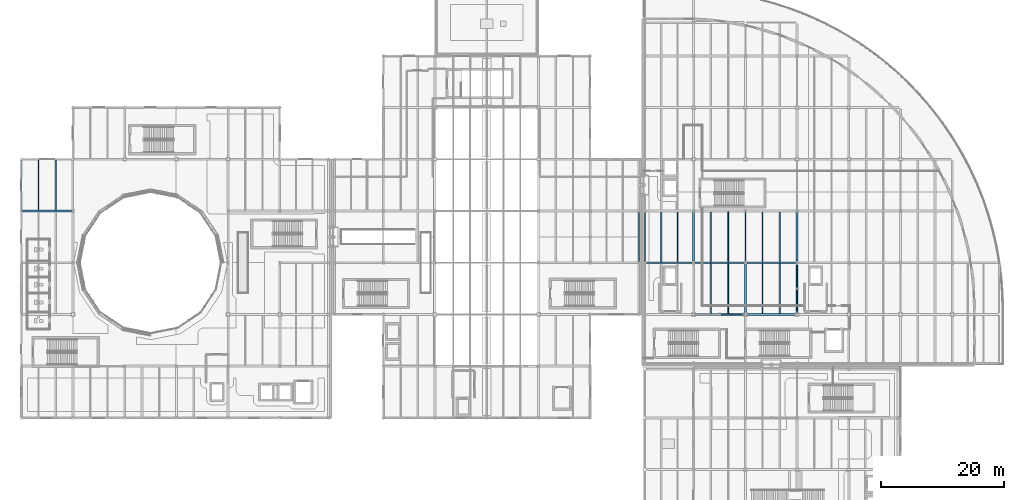
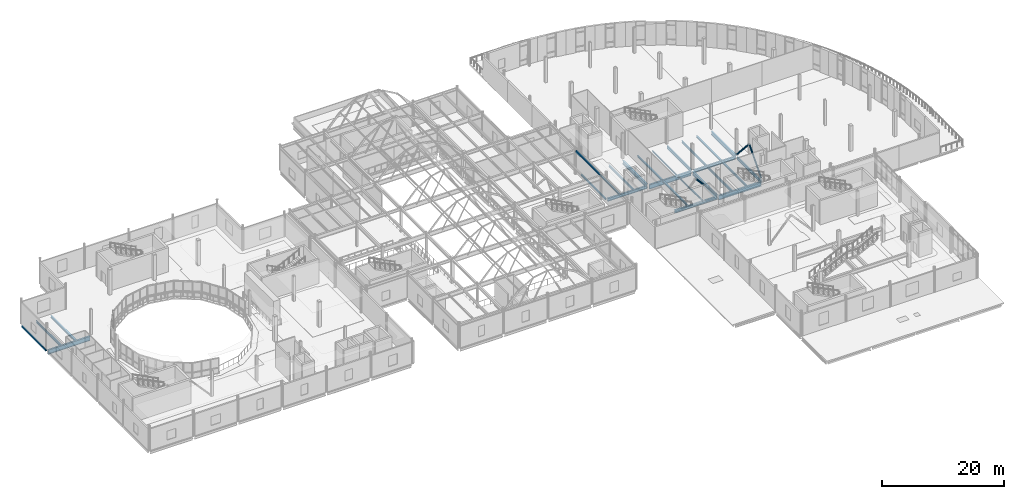
# One storey, part 25 of 103: 26 beams, 3 members.
"""IFC4 building model written with IfcOpenShell, lengths in metres."""

from ifc_helpers import new_model, si_unit, direction, frame, origin, origin_2d, place, context, subcontext, project, spatial, hollow_rectangle, hollow_circle, i_section, extrude, material, material_profile, profile_set, type_object, element, save


model = new_model("IFC4")

# Units and contexts
model_context = context("Model", 3, precision=1e-05, world=origin(), true_north=direction((0.0, 1.0)))
body_context = subcontext(model_context, "Body", "Model", "MODEL_VIEW")
ifc_project = project(units=[si_unit("LENGTHUNIT", "METRE"), si_unit("AREAUNIT", "SQUARE_METRE"), si_unit("VOLUMEUNIT", "CUBIC_METRE"), si_unit("PLANEANGLEUNIT", "RADIAN"), si_unit("MASSUNIT", "GRAM", prefix="KILO"), si_unit("THERMODYNAMICTEMPERATUREUNIT", "KELVIN")], contexts=[model_context])

# Site, building, storey
site_placement = place(None, origin())
site = spatial("IfcSite", under=ifc_project, at=site_placement, CompositionType="ELEMENT")
building_placement = place(site_placement, origin())
building = spatial("IfcBuilding", under=site, at=building_placement, Name="Lustrewick Department Store", CompositionType="ELEMENT")
storey_placement = place(building_placement, frame((0.0, 0.0, 16.5)))
storey = spatial("IfcBuildingStorey", under=building, at=storey_placement, Name="L04", CompositionType="ELEMENT", Elevation=16.5)

# Beams
ifc_material_1 = material(Name="Structural steel Q355B", Category="steel")
ifc_material_profile_1 = material_profile(ifc_material_1, i_section(OverallWidth=0.199951171875, OverallDepth=0.449951171875, WebThickness=0.009033203125, FlangeThickness=0.013916015625, FilletRadius=0.01611328125, at=origin_2d()), Name="HN 450x200x9x14")
ifc_profile_set_1 = profile_set([ifc_material_profile_1], Name="Structural steel Q355B")
beam_type_1 = type_object("IfcBeamType", Name="B03", PredefinedType="JOIST", material=ifc_profile_set_1)
beam_1_placement = place(storey_placement, frame((11.199951171875, 75.74951171875, -0.47998046875), z_axis=(0.0, 1.0, 0.0), x_axis=(-1.0, 0.0, 0.0)))
element("IfcBeam", 1, at=beam_1_placement, inside=storey, type_object=beam_type_1, Name="L04 V1 Secondary Joist B03", PredefinedType="JOIST", context=body_context, shape_type="SweptSolid", body=[
    extrude(i_section(OverallWidth=0.199951171875, OverallDepth=0.449951171875, WebThickness=0.009033203125, FlangeThickness=0.013916015625, FilletRadius=0.01611328125, at=origin_2d()), origin(), (0.0, 0.0, 1.0), 8.14990234375),
])
ifc_material_profile_2 = material_profile(ifc_material_1, i_section(OverallWidth=0.198974609375, OverallDepth=0.446044921875, WebThickness=0.008056640625, FlangeThickness=0.011962890625, FilletRadius=0.01611328125, at=origin_2d()), Name="HN 446x199x8x12")
ifc_profile_set_2 = profile_set([ifc_material_profile_2], Name="Structural steel Q355B")
beam_type_2 = type_object("IfcBeamType", Name="B04", PredefinedType="JOIST", material=ifc_profile_set_2)
beam_2_placement = place(storey_placement, frame((128.800048828125, 58.949951171875, -0.47802734375), z_axis=(0.0, 1.0, 0.0), x_axis=(-1.0, 0.0, 0.0)))
element("IfcBeam", 2, at=beam_2_placement, inside=storey, type_object=beam_type_2, Name="L04 V4 Secondary Joist B04", PredefinedType="JOIST", context=body_context, shape_type="SweptSolid", body=[
    extrude(i_section(OverallWidth=0.198974609375, OverallDepth=0.446044921875, WebThickness=0.008056640625, FlangeThickness=0.011962890625, FilletRadius=0.01611328125, at=origin_2d()), origin(), (0.0, 0.0, 1.0), 8.09912109375),
])
beam_3_placement = place(storey_placement, frame((114.966796875, 67.35009765625, -0.47802734375), z_axis=(0.0, 1.0, 0.0), x_axis=(-1.0, 0.0, 0.0)))
element("IfcBeam", 3, at=beam_3_placement, inside=storey, type_object=beam_type_2, Name="L04 V4 Secondary Joist B04", PredefinedType="JOIST", context=body_context, shape_type="SweptSolid", body=[
    extrude(i_section(OverallWidth=0.198974609375, OverallDepth=0.446044921875, WebThickness=0.008056640625, FlangeThickness=0.011962890625, FilletRadius=0.01611328125, at=origin_2d()), origin(), (0.0, 0.0, 1.0), 8.099853515625),
])
beam_4_placement = place(storey_placement, frame((128.800048828125, 67.35107421875, -0.47802734375), z_axis=(0.0, 1.0, 0.0), x_axis=(-1.0, 0.0, 0.0)))
element("IfcBeam", 4, at=beam_4_placement, inside=storey, type_object=beam_type_2, Name="L04 V4 Secondary Joist B04", PredefinedType="JOIST", context=body_context, shape_type="SweptSolid", body=[
    extrude(i_section(OverallWidth=0.198974609375, OverallDepth=0.446044921875, WebThickness=0.008056640625, FlangeThickness=0.011962890625, FilletRadius=0.01611328125, at=origin_2d()), origin(), (0.0, 0.0, 1.0), 8.098876953125),
])
ifc_material_profile_3 = material_profile(ifc_material_1, i_section(OverallWidth=0.300048828125, OverallDepth=0.389892578125, WebThickness=0.010009765625, FlangeThickness=0.01611328125, FilletRadius=0.01806640625, at=origin_2d()), Name="HM 390x300x10x16")
ifc_profile_set_3 = profile_set([ifc_material_profile_3], Name="Structural steel Q355B")
beam_type_3 = type_object("IfcBeamType", Name="B07", PredefinedType="JOIST", material=ifc_profile_set_3)
beam_5_placement = place(storey_placement, frame((14.0, 75.74951171875, -0.449951171875), z_axis=(0.0, 1.0, 0.0), x_axis=(-1.0, 0.0, 0.0)))
element("IfcBeam", 5, at=beam_5_placement, inside=storey, type_object=beam_type_3, Name="L04 V1 Secondary Joist B07", PredefinedType="JOIST", context=body_context, shape_type="SweptSolid", body=[
    extrude(i_section(OverallWidth=0.300048828125, OverallDepth=0.389892578125, WebThickness=0.010009765625, FlangeThickness=0.01611328125, FilletRadius=0.01806640625, at=origin_2d()), origin(), (0.0, 0.0, 1.0), 8.14990234375),
])
ifc_material_profile_4 = material_profile(ifc_material_1, i_section(OverallWidth=0.25, OverallDepth=0.340087890625, WebThickness=0.009033203125, FlangeThickness=0.013916015625, FilletRadius=0.01611328125, at=origin_2d()), Name="HM 340x250x9x14")
ifc_profile_set_4 = profile_set([ifc_material_profile_4], Name="Structural steel Q355B")
beam_type_4 = type_object("IfcBeamType", Name="B08", PredefinedType="JOIST", material=ifc_profile_set_4)
for number, where, z_axis, x_axis, name in (
    (6, (120.39990234375, 58.950927734375, -0.425048828125), (0.0, 1.0, 0.0), (-1.0, 0.0, 0.0), "L04 V4 Secondary Joist B08"),
    (7, (131.60009765625, 58.949951171875, -0.425048828125), (0.0, 1.0, 0.0), (-1.0, 0.0, 0.0), "L04 V4 Secondary Joist B08"),
):
    element("IfcBeam", number, at=place(storey_placement, frame(where, z_axis=z_axis, x_axis=x_axis)), inside=storey, type_object=beam_type_4, Name=name, PredefinedType="JOIST", context=body_context, shape_type="SweptSolid", body=[
        extrude(i_section(OverallWidth=0.25, OverallDepth=0.340087890625, WebThickness=0.009033203125, FlangeThickness=0.013916015625, FilletRadius=0.01611328125, at=origin_2d()), origin(), (0.0, 0.0, 1.0), 8.09912109375),
    ])
for number, where, z_axis, x_axis, name in (
    (8, (120.39990234375, 67.35009765625, -0.425048828125), (0.0, 1.0, 0.0), (-1.0, 0.0, 0.0), "L04 V4 Secondary Joist B08"),
    (9, (131.60009765625, 67.35107421875, -0.425048828125), (0.0, 1.0, 0.0), (-1.0, 0.0, 0.0), "L04 V4 Secondary Joist B08"),
):
    element("IfcBeam", number, at=place(storey_placement, frame(where, z_axis=z_axis, x_axis=x_axis)), inside=storey, type_object=beam_type_4, Name=name, PredefinedType="JOIST", context=body_context, shape_type="SweptSolid", body=[
        extrude(i_section(OverallWidth=0.25, OverallDepth=0.340087890625, WebThickness=0.009033203125, FlangeThickness=0.013916015625, FilletRadius=0.01611328125, at=origin_2d()), origin(), (0.0, 0.0, 1.0), 8.098876953125),
    ])
ifc_material_profile_5 = material_profile(ifc_material_1, i_section(OverallWidth=0.14892578125, OverallDepth=0.298095703125, WebThickness=0.005615234375, FlangeThickness=0.008056640625, FilletRadius=0.011962890625, at=origin_2d()), Name="HN 298x149x5.5x8")
ifc_profile_set_5 = profile_set([ifc_material_profile_5], Name="Structural steel Q355B")
beam_type_5 = type_object("IfcBeamType", Name="B12", PredefinedType="JOIST", material=ifc_profile_set_5)
beam_6_placement = place(storey_placement, frame((123.199951171875, 58.950927734375, -0.404052734375), z_axis=(0.0, 1.0, 0.0), x_axis=(-1.0, 0.0, 0.0)))
element("IfcBeam", 10, at=beam_6_placement, inside=storey, type_object=beam_type_5, Name="L04 V4 Secondary Joist B12", PredefinedType="JOIST", context=body_context, shape_type="SweptSolid", body=[
    extrude(i_section(OverallWidth=0.14892578125, OverallDepth=0.298095703125, WebThickness=0.005615234375, FlangeThickness=0.008056640625, FilletRadius=0.011962890625, at=origin_2d()), origin(), (0.0, 0.0, 1.0), 8.09912109375),
])
beam_7_placement = place(storey_placement, frame((123.199951171875, 67.35009765625, -0.404052734375), z_axis=(0.0, 1.0, 0.0), x_axis=(-1.0, 0.0, 0.0)))
element("IfcBeam", 11, at=beam_7_placement, inside=storey, type_object=beam_type_5, Name="L04 V4 Secondary Joist B12", PredefinedType="JOIST", context=body_context, shape_type="SweptSolid", body=[
    extrude(i_section(OverallWidth=0.14892578125, OverallDepth=0.298095703125, WebThickness=0.005615234375, FlangeThickness=0.008056640625, FilletRadius=0.011962890625, at=origin_2d()), origin(), (0.0, 0.0, 1.0), 8.098876953125),
])
ifc_material_profile_6 = material_profile(ifc_material_1, i_section(OverallWidth=0.199951171875, OverallDepth=0.2939453125, WebThickness=0.008056640625, FlangeThickness=0.011962890625, FilletRadius=0.013916015625, at=origin_2d()), Name="HM 294x200x8x12")
ifc_profile_set_6 = profile_set([ifc_material_profile_6], Name="Structural steel Q355B")
beam_type_6 = type_object("IfcBeamType", Name="B13", PredefinedType="JOIST", material=ifc_profile_set_6)
beam_8_placement = place(storey_placement, frame((112.333251953125, 67.35009765625, -0.402099609375), z_axis=(0.0, 1.0, 0.0), x_axis=(-1.0, 0.0, 0.0)))
element("IfcBeam", 12, at=beam_8_placement, inside=storey, type_object=beam_type_6, Name="L04 V4 Secondary Joist B13", PredefinedType="JOIST", context=body_context, shape_type="SweptSolid", body=[
    extrude(i_section(OverallWidth=0.199951171875, OverallDepth=0.2939453125, WebThickness=0.008056640625, FlangeThickness=0.011962890625, FilletRadius=0.013916015625, at=origin_2d()), origin(), (0.0, 0.0, 1.0), 8.099853515625),
])

# Members
ifc_material_2 = material(Name="Structural steel Q355C", Category="steel")
ifc_material_profile_7 = material_profile(ifc_material_2, hollow_circle(Radius=0.16259765625, WallThickness=0.011962890625, at=origin_2d()), Name="CHS 325x12")
ifc_profile_set_7 = profile_set([ifc_material_profile_7], Name="Structural steel Q355C")
member_type_1 = type_object("IfcMemberType", Name="BR01", PredefinedType="BRACE", material=ifc_profile_set_7)
member_1_placement = place(storey_placement, frame((125.72509765625, 58.800048828125, 0.14990234375), z_axis=(-0.66076478417, 0.0, 0.750593032209), x_axis=(0.0, -1.0, 0.0)))
element("IfcMember", 13, at=member_1_placement, inside=storey, type_object=member_type_1, Name="L04 V4 Chevron Brace BR01", PredefinedType="BRACE", context=body_context, shape_type="SweptSolid", body=[
    extrude(hollow_circle(Radius=0.16259765625, WallThickness=0.011962890625, at=origin_2d()), origin(), (0.0, 0.0, 1.0), 5.7890625),
])
ifc_material_profile_8 = material_profile(ifc_material_2, hollow_circle(Radius=0.1494140625, WallThickness=0.011962890625, at=origin_2d()), Name="CHS 299x12")
ifc_profile_set_8 = profile_set([ifc_material_profile_8], Name="Structural steel Q355C")
member_type_2 = type_object("IfcMemberType", Name="BR02", PredefinedType="BRACE", material=ifc_profile_set_8)
member_2_placement = place(storey_placement, frame((134.39990234375, 59.074951171875, 0.14990234375), z_axis=(0.0, 0.660741023398, 0.75061394871), x_axis=(-1.0, 0.0, 0.0)))
element("IfcMember", 14, at=member_2_placement, inside=storey, type_object=member_type_2, Name="L04 V4 Chevron Brace BR02", PredefinedType="BRACE", context=body_context, shape_type="SweptSolid", body=[
    extrude(hollow_circle(Radius=0.1494140625, WallThickness=0.011962890625, at=origin_2d()), origin(), (0.0, 0.0, 1.0), 5.788818359375),
])
member_3_placement = place(storey_placement, frame((134.39990234375, 67.006103515625, 0.14990234375), z_axis=(0.0, -0.66852136639, 0.743692935747), x_axis=(1.0, 0.0, 0.0)))
element("IfcMember", 15, at=member_3_placement, inside=storey, type_object=member_type_2, Name="L04 V4 Chevron Brace BR02", PredefinedType="BRACE", context=body_context, shape_type="SweptSolid", body=[
    extrude(hollow_circle(Radius=0.1494140625, WallThickness=0.011962890625, at=origin_2d()), origin(), (0.0, 0.0, 1.0), 5.8427734375),
])

# Beams
ifc_material_profile_9 = material_profile(ifc_material_2, i_section(OverallWidth=0.300048828125, OverallDepth=0.89990234375, WebThickness=0.01611328125, FlangeThickness=0.028076171875, FilletRadius=0.02392578125, at=origin_2d()), Name="HN 900x300x16x28")
ifc_profile_set_9 = profile_set([ifc_material_profile_9], Name="Structural steel Q355C")
beam_type_7 = type_object("IfcBeamType", Name="G02", PredefinedType="BEAM", material=ifc_profile_set_9)
beam_9_placement = place(storey_placement, frame((126.175048828125, 58.800048828125, -0.705078125), z_axis=(1.0, 0.0, 0.0), x_axis=(0.0, 1.0, 0.0)))
element("IfcBeam", 16, at=beam_9_placement, inside=storey, type_object=beam_type_7, Name="L04 V4 Girder G02", PredefinedType="BEAM", context=body_context, shape_type="SweptSolid", body=[
    extrude(i_section(OverallWidth=0.300048828125, OverallDepth=0.89990234375, WebThickness=0.01611328125, FlangeThickness=0.028076171875, FilletRadius=0.02392578125, at=origin_2d()), origin(), (0.0, 0.0, 1.0), 8.050048828125),
])
beam_10_placement = place(storey_placement, frame((117.85009765625, 67.199951171875, -0.705078125), z_axis=(1.0, 0.0, 0.0), x_axis=(0.0, 1.0, 0.0)))
element("IfcBeam", 17, at=beam_10_placement, inside=storey, type_object=beam_type_7, Name="L04 V4 Girder G02", PredefinedType="BEAM", context=body_context, shape_type="SweptSolid", body=[
    extrude(i_section(OverallWidth=0.300048828125, OverallDepth=0.89990234375, WebThickness=0.01611328125, FlangeThickness=0.028076171875, FilletRadius=0.02392578125, at=origin_2d()), origin(), (0.0, 0.0, 1.0), 7.89990234375),
])
ifc_material_profile_10 = material_profile(ifc_material_2, i_section(OverallWidth=0.299072265625, OverallDepth=0.889892578125, WebThickness=0.014892578125, FlangeThickness=0.02294921875, FilletRadius=0.02392578125, at=origin_2d()), Name="HN 890x299x15x23")
ifc_profile_set_10 = profile_set([ifc_material_profile_10], Name="Structural steel Q355C")
beam_type_8 = type_object("IfcBeamType", Name="G03", PredefinedType="BEAM", material=ifc_profile_set_10)
beam_11_placement = place(storey_placement, frame((8.58837890625, 75.60009765625, -0.699951171875), z_axis=(1.0, 0.0, 0.0), x_axis=(0.0, 1.0, 0.0)))
element("IfcBeam", 18, at=beam_11_placement, inside=storey, type_object=beam_type_8, Name="L04 V1 Girder G03", PredefinedType="BEAM", context=body_context, shape_type="SweptSolid", body=[
    extrude(i_section(OverallWidth=0.299072265625, OverallDepth=0.889892578125, WebThickness=0.014892578125, FlangeThickness=0.02294921875, FilletRadius=0.02392578125, at=origin_2d()), origin(), (0.0, 0.0, 1.0), 8.0107421875),
])
ifc_material_profile_11 = material_profile(ifc_material_2, i_section(OverallWidth=0.302001953125, OverallDepth=0.7080078125, WebThickness=0.014892578125, FlangeThickness=0.028076171875, FilletRadius=0.02001953125, at=origin_2d()), Name="HN 708x302x15x28")
ifc_profile_set_11 = profile_set([ifc_material_profile_11], Name="Structural steel Q355C")
beam_type_9 = type_object("IfcBeamType", Name="G07", PredefinedType="BEAM", material=ifc_profile_set_11)
beam_12_placement = place(storey_placement, frame((117.60009765625, 67.449951171875, -0.60888671875), z_axis=(0.0, 1.0, 0.0), x_axis=(-1.0, 0.0, 0.0)))
element("IfcBeam", 19, at=beam_12_placement, inside=storey, type_object=beam_type_9, Name="L04 V4 Girder G07", PredefinedType="BEAM", context=body_context, shape_type="SweptSolid", body=[
    extrude(i_section(OverallWidth=0.302001953125, OverallDepth=0.7080078125, WebThickness=0.014892578125, FlangeThickness=0.028076171875, FilletRadius=0.02001953125, at=origin_2d()), origin(), (0.0, 0.0, 1.0), 7.9560546875),
])
beam_13_placement = place(storey_placement, frame((126.0, 58.97509765625, -0.60888671875), z_axis=(0.0, 1.0, 0.0), x_axis=(-1.0, 0.0, 0.0)))
element("IfcBeam", 20, at=beam_13_placement, inside=storey, type_object=beam_type_9, Name="L04 V4 Girder G07", PredefinedType="BEAM", context=body_context, shape_type="SweptSolid", body=[
    extrude(i_section(OverallWidth=0.302001953125, OverallDepth=0.7080078125, WebThickness=0.014892578125, FlangeThickness=0.028076171875, FilletRadius=0.02001953125, at=origin_2d()), origin(), (0.0, 0.0, 1.0), 7.974853515625),
])
beam_14_placement = place(storey_placement, frame((134.39990234375, 67.449951171875, -0.60888671875), z_axis=(0.0, 1.0, 0.0), x_axis=(-1.0, 0.0, 0.0)))
element("IfcBeam", 21, at=beam_14_placement, inside=storey, type_object=beam_type_9, Name="L04 V4 Girder G07", PredefinedType="BEAM", context=body_context, shape_type="SweptSolid", body=[
    extrude(i_section(OverallWidth=0.302001953125, OverallDepth=0.7080078125, WebThickness=0.014892578125, FlangeThickness=0.028076171875, FilletRadius=0.02001953125, at=origin_2d()), origin(), (0.0, 0.0, 1.0), 7.9560546875),
])
ifc_material_profile_12 = material_profile(ifc_material_1, i_section(OverallWidth=0.302001953125, OverallDepth=0.593994140625, WebThickness=0.013916015625, FlangeThickness=0.02294921875, FilletRadius=0.02392578125, at=origin_2d()), Name="HM 594x302x14x23")
ifc_profile_set_12 = profile_set([ifc_material_profile_12], Name="Structural steel Q355B")
beam_type_10 = type_object("IfcBeamType", Name="G10", PredefinedType="BEAM", material=ifc_profile_set_12)
beam_15_placement = place(storey_placement, frame((117.77490234375, 58.800048828125, -0.552001953125), z_axis=(1.0, 0.0, 0.0), x_axis=(0.0, 1.0, 0.0)))
element("IfcBeam", 22, at=beam_15_placement, inside=storey, type_object=beam_type_10, Name="L04 V4 Girder G10", PredefinedType="BEAM", context=body_context, shape_type="SweptSolid", body=[
    extrude(i_section(OverallWidth=0.302001953125, OverallDepth=0.593994140625, WebThickness=0.013916015625, FlangeThickness=0.02294921875, FilletRadius=0.02392578125, at=origin_2d()), origin(), (0.0, 0.0, 1.0), 8.050048828125),
])
beam_16_placement = place(storey_placement, frame((126.25, 67.199951171875, -0.552001953125), z_axis=(1.0, 0.0, 0.0), x_axis=(0.0, 1.0, 0.0)))
element("IfcBeam", 23, at=beam_16_placement, inside=storey, type_object=beam_type_10, Name="L04 V4 Girder G10", PredefinedType="BEAM", context=body_context, shape_type="SweptSolid", body=[
    extrude(i_section(OverallWidth=0.302001953125, OverallDepth=0.593994140625, WebThickness=0.013916015625, FlangeThickness=0.02294921875, FilletRadius=0.02392578125, at=origin_2d()), origin(), (0.0, 0.0, 1.0), 7.89990234375),
])
ifc_material_profile_13 = material_profile(ifc_material_1, i_section(OverallWidth=0.300048828125, OverallDepth=0.587890625, WebThickness=0.011962890625, FlangeThickness=0.02001953125, FilletRadius=0.02392578125, at=origin_2d()), Name="HM 588x300x12x20")
ifc_profile_set_13 = profile_set([ifc_material_profile_13], Name="Structural steel Q355B")
beam_type_11 = type_object("IfcBeamType", Name="G11", PredefinedType="BEAM", material=ifc_profile_set_13)
beam_17_placement = place(storey_placement, frame((109.888427734375, 67.199951171875, -0.549072265625), z_axis=(1.0, 0.0, 0.0), x_axis=(0.0, 1.0, 0.0)))
element("IfcBeam", 24, at=beam_17_placement, inside=storey, type_object=beam_type_11, Name="L04 V4 Girder G11", PredefinedType="BEAM", context=body_context, shape_type="SweptSolid", body=[
    extrude(i_section(OverallWidth=0.300048828125, OverallDepth=0.587890625, WebThickness=0.011962890625, FlangeThickness=0.02001953125, FilletRadius=0.02392578125, at=origin_2d()), origin(), (0.0, 0.0, 1.0), 7.461669921875),
])
ifc_material_profile_14 = material_profile(ifc_material_1, i_section(OverallWidth=0.198974609375, OverallDepth=0.595947265625, WebThickness=0.010009765625, FlangeThickness=0.014892578125, FilletRadius=0.01806640625, at=origin_2d()), Name="HN 596x199x10x15")
ifc_profile_set_14 = profile_set([ifc_material_profile_14], Name="Structural steel Q355B")
beam_type_12 = type_object("IfcBeamType", Name="G15", PredefinedType="BEAM", material=ifc_profile_set_14)
beam_18_placement = place(storey_placement, frame((126.0, 67.449951171875, -0.552978515625), z_axis=(0.0, 1.0, 0.0), x_axis=(-1.0, 0.0, 0.0)))
element("IfcBeam", 25, at=beam_18_placement, inside=storey, type_object=beam_type_12, Name="L04 V4 Girder G15", PredefinedType="BEAM", context=body_context, shape_type="SweptSolid", body=[
    extrude(i_section(OverallWidth=0.198974609375, OverallDepth=0.595947265625, WebThickness=0.010009765625, FlangeThickness=0.014892578125, FilletRadius=0.01806640625, at=origin_2d()), origin(), (0.0, 0.0, 1.0), 7.9560546875),
])
beam_19_placement = place(storey_placement, frame((134.39990234375, 58.97509765625, -0.552978515625), z_axis=(0.0, 1.0, 0.0), x_axis=(-1.0, 0.0, 0.0)))
element("IfcBeam", 26, at=beam_19_placement, inside=storey, type_object=beam_type_12, Name="L04 V4 Girder G15", PredefinedType="BEAM", context=body_context, shape_type="SweptSolid", body=[
    extrude(i_section(OverallWidth=0.198974609375, OverallDepth=0.595947265625, WebThickness=0.010009765625, FlangeThickness=0.014892578125, FilletRadius=0.01806640625, at=origin_2d()), origin(), (0.0, 0.0, 1.0), 7.974853515625),
])
ifc_material_profile_15 = material_profile(ifc_material_2, hollow_rectangle(XDim=0.199951171875, YDim=0.35009765625, WallThickness=0.011962890625, at=origin_2d()), Name="RHS 350x200x12")
ifc_profile_set_15 = profile_set([ifc_material_profile_15], Name="Structural steel Q355C")
beam_type_13 = type_object("IfcBeamType", Name="SP03", PredefinedType="SPANDREL", material=ifc_profile_set_15)
for number, where, z_axis, x_axis, name in (
    (27, (8.39990234375, 75.78857421875, -0.429931640625), (0.0, 1.0, 0.0), (-1.0, 0.0, 0.0), "L04 V1 Girder SP03"),
    (28, (109.699951171875, 67.388427734375, -0.429931640625), (0.0, 1.0, 0.0), (-1.0, 0.0, 0.0), "L04 V4 Girder SP03"),
    (29, (108.699951171875, 67.388427734375, 4.669921875), (0.0, 1.0, 0.0), (-1.0, 0.0, 0.0), "L04 V2 Girder SP03"),
):
    element("IfcBeam", number, at=place(storey_placement, frame(where, z_axis=z_axis, x_axis=x_axis)), inside=storey, type_object=beam_type_13, Name=name, PredefinedType="SPANDREL", context=body_context, shape_type="SweptSolid", body=[
        extrude(hollow_rectangle(XDim=0.199951171875, YDim=0.35009765625, WallThickness=0.011962890625, at=origin_2d()), origin(), (0.0, 0.0, 1.0), 8.008544921875),
    ])

save(model, "model.ifc")
